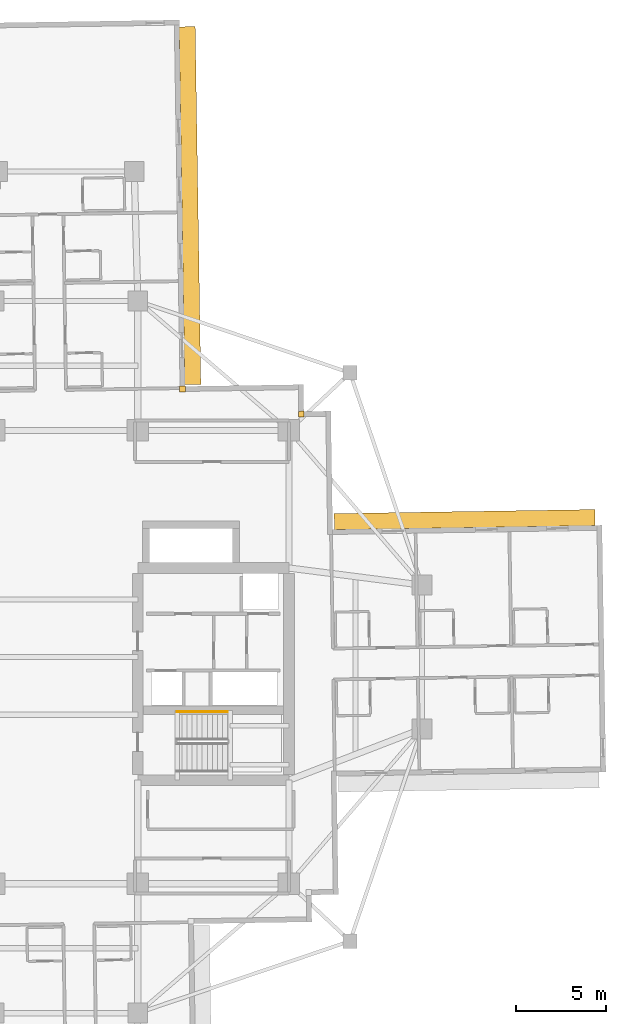
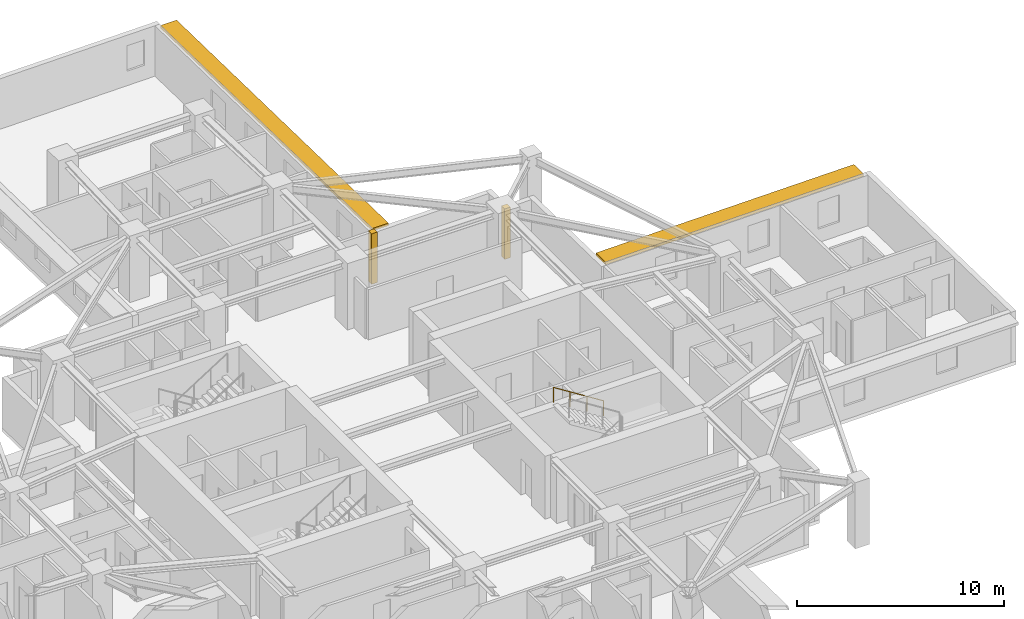
# One storey, part 14 of 14: 2 coverings, 2 shading devices, 1 railing.
"""IFC4 building model written with IfcOpenShell, lengths in metres."""

from ifc_helpers import new_model, si_unit, direction, frame, origin, origin_2d, place, context, subcontext, project, spatial, rectangle, circle, extrude, material, layer, layer_set, type_object, element, save


model = new_model("IFC4")

# Units and contexts
model_context = context("Model", 3, precision=1e-05, world=origin(), true_north=direction((0.0, 1.0)))
body_context = subcontext(model_context, "Body", "Model", "MODEL_VIEW")
ifc_project = project(units=[si_unit("LENGTHUNIT", "METRE"), si_unit("AREAUNIT", "SQUARE_METRE"), si_unit("VOLUMEUNIT", "CUBIC_METRE"), si_unit("PLANEANGLEUNIT", "RADIAN"), si_unit("MASSUNIT", "GRAM", prefix="KILO")], contexts=[model_context])

# Site, building, storey
site_placement = place(None, origin())
site = spatial("IfcSite", under=ifc_project, at=site_placement, CompositionType="ELEMENT")
building_placement = place(site_placement, origin())
building = spatial("IfcBuilding", under=site, at=building_placement, Name="Qingluan Cross Belvedere", CompositionType="ELEMENT")
storey_placement = place(building_placement, frame((0.0, 0.0, 108.60009765625)))
storey = spatial("IfcBuildingStorey", under=building, at=storey_placement, Name="L27", CompositionType="ELEMENT", Elevation=108.60009765625)

# Coverings
ifc_material_1 = material(Name="Precast concrete C45", Category="concrete")
ifc_layer_1 = layer(ifc_material_1, 0.1201171875, Name="ConcreteSpandrelCladding_120")
ifc_layer_set_1 = layer_set([ifc_layer_1], Name="Precast concrete C45")
covering_type = type_object("IfcCoveringType", Name="ConcreteSpandrelCladding_120", PredefinedType="CLADDING", material=ifc_layer_set_1)
for number, where, z_axis, x_axis, name in (
    (1, (13.089599609375, 13.50732421875, 0.0), (0.0, 0.0, 1.0), (0.999876632482, 0.015707317312, 0.0), "Corner closure L27-NE1"),
    (2, (6.48681640625, 14.90380859375, 0.0), (0.0, 0.0, 1.0), (0.999876632482, 0.015707317312, 0.0), "Corner closure L27-NE2"),
):
    element("IfcCovering", number, at=place(storey_placement, frame(where, z_axis=z_axis, x_axis=x_axis)), inside=storey, type_object=covering_type, Name=name, PredefinedType="CLADDING", context=body_context, shape_type="SweptSolid", body=[
        extrude(rectangle(XDim=0.320068359375, YDim=0.320068359375, at=origin_2d()), origin(), (0.0, 0.0, 1.0), 2.969970703125),
    ])

# Shading devices
ifc_material_2 = material(Name="Precast concrete C45", Category="concrete")
ifc_layer_2 = layer(ifc_material_2, 0.159912109375, Name="ConcreteSunshadeBand_900")
ifc_layer_set_2 = layer_set([ifc_layer_2], Name="Precast concrete C45")
shading_device_type = type_object("IfcShadingDeviceType", Name="ConcreteSunshadeBand_900", PredefinedType="USERDEFINED", material=ifc_layer_set_2)
shading_device_1_placement = place(storey_placement, frame((22.172607421875, 7.63916015625, 2.7900390625), z_axis=(0.0, 0.0, 1.0), x_axis=(-0.999876630106, -0.015707468526, 0.0)))
element("IfcShadingDevice", 3, at=shading_device_1_placement, inside=storey, type_object=shading_device_type, Name="Concrete SUNSHADE L27-EB", ObjectType="SUNSHADE", PredefinedType="USERDEFINED", context=body_context, shape_type="SweptSolid", body=[
    extrude(rectangle(XDim=14.5, YDim=0.89990234375, at=origin_2d()), origin(), (0.0, 0.0, 1.0), 0.159912109375),
])
shading_device_2_placement = place(storey_placement, frame((6.896484375, 25.101318359375, 2.7900390625), z_axis=(0.0, 0.0, 1.0), x_axis=(-0.015706483741, 0.999876645576, 0.0)))
element("IfcShadingDevice", 4, at=shading_device_2_placement, inside=storey, type_object=shading_device_type, Name="Concrete SUNSHADE L27-NA", ObjectType="SUNSHADE", PredefinedType="USERDEFINED", context=body_context, shape_type="SweptSolid", body=[
    extrude(rectangle(XDim=19.89990234375, YDim=0.89990234375, at=origin_2d()), origin(), (0.0, 0.0, 1.0), 0.159912109375),
])

# Railing
ifc_material_3 = material(Name="Brushed stainless steel tubular handrail", Category="steel")
railing_type = type_object("IfcRailingType", Name="StairPitchHandrail_900", PredefinedType="HANDRAIL", material=ifc_material_3)
railing_placement = place(storey_placement, frame((8.97998046875, -3.050048828125, 2.127197265625)))
element("IfcRailing", 5, at=railing_placement, inside=storey, type_object=railing_type, Name="L27 ST2 stair handrail 2", PredefinedType="HANDRAIL", context=body_context, shape_type="SweptSolid", body=[
    extrude(circle(Radius=0.02392578125, at=origin_2d()), frame((0.0, 0.0, 0.8759765625), z_axis=(-0.844908973607, 0.0, 0.534910110503), x_axis=(0.0, -1.0, 0.0)), (0.0, 0.0, 1.0), 3.31396484375),
    extrude(circle(Radius=0.02099609375, at=origin_2d()), origin(), (0.0, 0.0, 1.0), 0.851806640625),
    extrude(circle(Radius=0.02099609375, at=origin_2d()), frame((-0.933349609375, 0.0, 0.5908203125)), (0.0, 0.0, 1.0), 0.851806640625),
    extrude(circle(Radius=0.02099609375, at=origin_2d()), frame((-1.86669921875, 0.0, 1.181884765625)), (0.0, 0.0, 1.0), 0.851806640625),
    extrude(circle(Radius=0.02099609375, at=origin_2d()), frame((-2.800048828125, 0.0, 1.772705078125)), (0.0, 0.0, 1.0), 0.851806640625),
])

save(model, "model.ifc")
